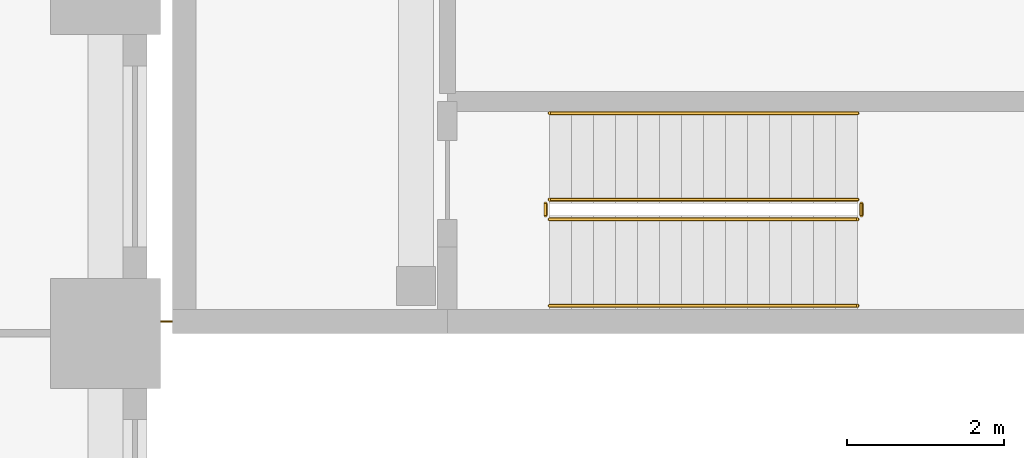
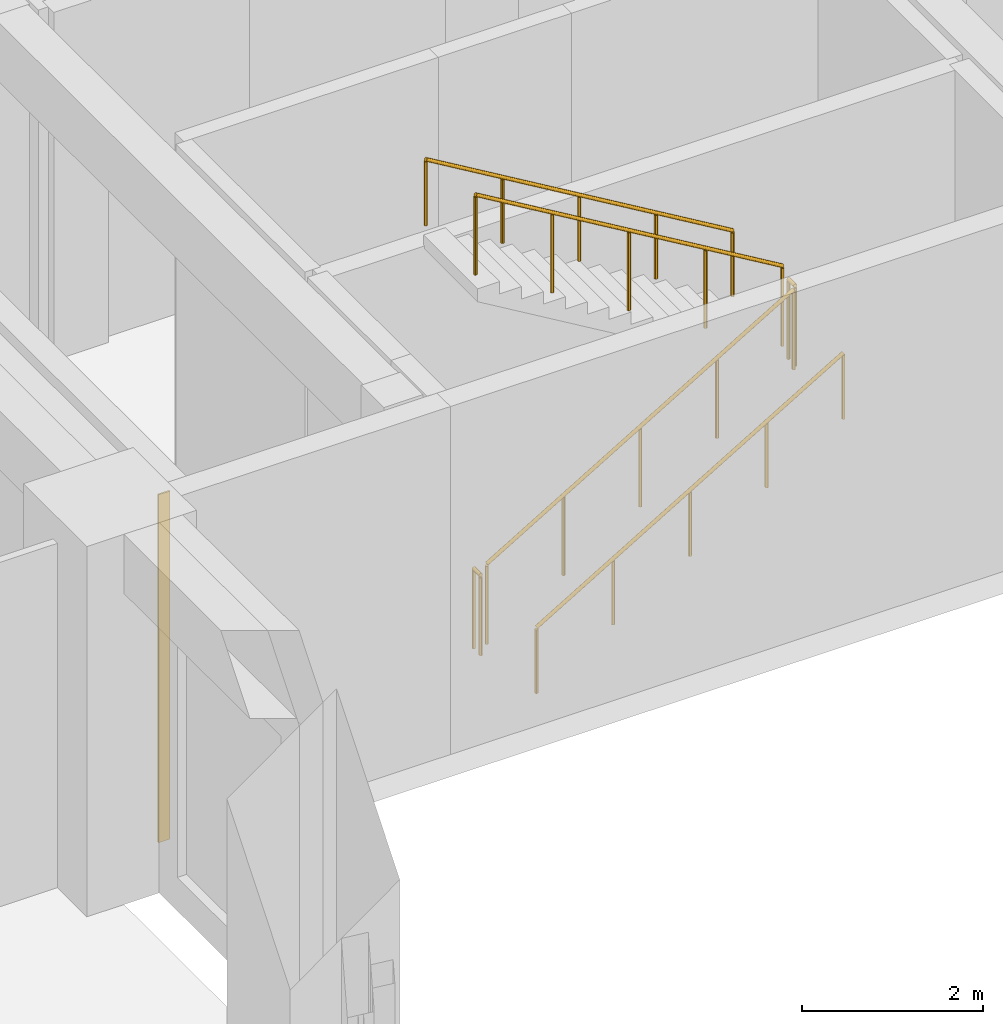
# One storey, part 14 of 19: 6 railings, 1 covering.
"""IFC4 building model written with IfcOpenShell, lengths in metres."""

from ifc_helpers import new_model, si_unit, direction, frame, origin, origin_2d, place, context, subcontext, project, spatial, rectangle, circle, extrude, material, layer, layer_set, type_object, element, save


model = new_model("IFC4")

# Units and contexts
model_context = context("Model", 3, precision=1e-05, world=origin(), true_north=direction((0.0, 1.0)))
body_context = subcontext(model_context, "Body", "Model", "MODEL_VIEW")
ifc_project = project(units=[si_unit("LENGTHUNIT", "METRE"), si_unit("AREAUNIT", "SQUARE_METRE"), si_unit("VOLUMEUNIT", "CUBIC_METRE"), si_unit("PLANEANGLEUNIT", "RADIAN"), si_unit("MASSUNIT", "GRAM", prefix="KILO")], contexts=[model_context])

# Site, building, storey
site_placement = place(None, origin())
site = spatial("IfcSite", under=ifc_project, at=site_placement, CompositionType="ELEMENT")
building_placement = place(site_placement, origin())
building = spatial("IfcBuilding", under=site, at=building_placement, Name="Girih Gate Residences", CompositionType="ELEMENT")
storey_placement = place(building_placement, frame((0.0, 0.0, 21.0)))
storey = spatial("IfcBuildingStorey", under=building, at=storey_placement, Name="L04", CompositionType="ELEMENT", Elevation=21.0)

# Railings
ifc_material_1 = material(Name="Stainless steel railing", Category="steel")
railing_type_1 = type_object("IfcRailingType", Name="HC Guard 1100", PredefinedType="GUARDRAIL", material=ifc_material_1)
railing_1_placement = place(storey_placement, frame((55.14990234375, 10.449951171875, 0.166748046875)))
element("IfcRailing", 1, at=railing_1_placement, inside=storey, type_object=railing_type_1, Name="L04 HC-STA stair guard 1", PredefinedType="GUARDRAIL", context=body_context, shape_type="SweptSolid", body=[
    extrude(circle(Radius=0.02392578125, at=origin_2d()), frame((0.0, 0.0, 1.076171875), z_axis=(0.859310244771, 0.0, 0.511454693235), x_axis=(0.0, 1.0, 0.0)), (0.0, 0.0, 1.0), 4.56201171875),
    extrude(circle(Radius=0.02099609375, at=origin_2d()), origin(), (0.0, 0.0, 1.0), 1.052001953125),
    extrude(circle(Radius=0.02099609375, at=origin_2d()), frame((0.97998046875, 0.0, 0.583251953125)), (0.0, 0.0, 1.0), 1.052001953125),
    extrude(circle(Radius=0.02099609375, at=origin_2d()), frame((1.9599609375, 0.0, 1.16650390625)), (0.0, 0.0, 1.0), 1.052001953125),
    extrude(circle(Radius=0.02099609375, at=origin_2d()), frame((2.940185546875, 0.0, 1.75)), (0.0, 0.0, 1.0), 1.052001953125),
    extrude(circle(Radius=0.02099609375, at=origin_2d()), frame((3.920166015625, 0.0, 2.333251953125)), (0.0, 0.0, 1.0), 1.052001953125),
])
railing_2_placement = place(storey_placement, frame((59.1201171875, 10.5, 2.5)))
element("IfcRailing", 2, at=railing_2_placement, inside=storey, type_object=railing_type_1, Name="L04 HC-STA stair guard 2", PredefinedType="GUARDRAIL", context=body_context, shape_type="SweptSolid", body=[
    extrude(circle(Radius=0.02392578125, at=origin_2d()), frame((0.0, 0.0, 1.076171875), z_axis=(0.0, 1.0, 0.0), x_axis=(-1.0, 0.0, 0.0)), (0.0, 0.0, 1.0), 0.14990234375),
    extrude(circle(Radius=0.02099609375, at=origin_2d()), origin(), (0.0, 0.0, 1.0), 1.052001953125),
    extrude(circle(Radius=0.02099609375, at=origin_2d()), frame((0.0, 0.14990234375, 0.0)), (0.0, 0.0, 1.0), 1.052001953125),
])
railing_3_placement = place(storey_placement, frame((59.070068359375, 10.699951171875, 2.666748046875)))
element("IfcRailing", 3, at=railing_3_placement, inside=storey, type_object=railing_type_1, Name="L04 HC-STA stair guard 3", PredefinedType="GUARDRAIL", context=body_context, shape_type="SweptSolid", body=[
    extrude(circle(Radius=0.02392578125, at=origin_2d()), frame((0.0, 0.0, 1.076171875), z_axis=(-0.859310244771, 0.0, 0.511454693235), x_axis=(0.0, -1.0, 0.0)), (0.0, 0.0, 1.0), 4.56201171875),
    extrude(circle(Radius=0.02099609375, at=origin_2d()), origin(), (0.0, 0.0, 1.0), 1.052001953125),
    extrude(circle(Radius=0.02099609375, at=origin_2d()), frame((-0.97998046875, 0.0, 0.583251953125)), (0.0, 0.0, 1.0), 1.052001953125),
    extrude(circle(Radius=0.02099609375, at=origin_2d()), frame((-1.9599609375, 0.0, 1.16650390625)), (0.0, 0.0, 1.0), 1.052001953125),
    extrude(circle(Radius=0.02099609375, at=origin_2d()), frame((-2.940185546875, 0.0, 1.75)), (0.0, 0.0, 1.0), 1.052001953125),
    extrude(circle(Radius=0.02099609375, at=origin_2d()), frame((-3.920166015625, 0.0, 2.333251953125)), (0.0, 0.0, 1.0), 1.052001953125),
])
railing_4_placement = place(storey_placement, frame((55.10009765625, 10.5, 0.0)))
element("IfcRailing", 4, at=railing_4_placement, inside=storey, type_object=railing_type_1, Name="L04 HC-STA stair guard 4", PredefinedType="GUARDRAIL", context=body_context, shape_type="SweptSolid", body=[
    extrude(circle(Radius=0.02392578125, at=origin_2d()), frame((0.0, 0.0, 1.076171875), z_axis=(0.0, 1.0, 0.0), x_axis=(-1.0, 0.0, 0.0)), (0.0, 0.0, 1.0), 0.14990234375),
    extrude(circle(Radius=0.02099609375, at=origin_2d()), origin(), (0.0, 0.0, 1.0), 1.052001953125),
    extrude(circle(Radius=0.02099609375, at=origin_2d()), frame((0.0, 0.14990234375, 0.0)), (0.0, 0.0, 1.0), 1.052001953125),
])
railing_type_2 = type_object("IfcRailingType", Name="HC Handrail 900", PredefinedType="HANDRAIL", material=ifc_material_1)
railing_5_placement = place(storey_placement, frame((55.14990234375, 9.35009765625, 0.166748046875)))
element("IfcRailing", 5, at=railing_5_placement, inside=storey, type_object=railing_type_2, Name="L04 HC-STA stair handrail 1", PredefinedType="HANDRAIL", context=body_context, shape_type="SweptSolid", body=[
    extrude(circle(Radius=0.02392578125, at=origin_2d()), frame((0.0, 0.0, 0.8857421875), z_axis=(0.859310244771, 0.0, 0.511454693235), x_axis=(0.0, 1.0, 0.0)), (0.0, 0.0, 1.0), 4.56201171875),
    extrude(circle(Radius=0.02099609375, at=origin_2d()), origin(), (0.0, 0.0, 1.0), 0.86181640625),
    extrude(circle(Radius=0.02099609375, at=origin_2d()), frame((0.97998046875, 0.0, 0.583251953125)), (0.0, 0.0, 1.0), 0.86181640625),
    extrude(circle(Radius=0.02099609375, at=origin_2d()), frame((1.9599609375, 0.0, 1.16650390625)), (0.0, 0.0, 1.0), 0.86181640625),
    extrude(circle(Radius=0.02099609375, at=origin_2d()), frame((2.940185546875, 0.0, 1.75)), (0.0, 0.0, 1.0), 0.86181640625),
    extrude(circle(Radius=0.02099609375, at=origin_2d()), frame((3.920166015625, 0.0, 2.333251953125)), (0.0, 0.0, 1.0), 0.86181640625),
])
railing_6_placement = place(storey_placement, frame((59.070068359375, 11.800048828125, 2.666748046875)))
element("IfcRailing", 6, at=railing_6_placement, inside=storey, type_object=railing_type_2, Name="L04 HC-STA stair handrail 2", PredefinedType="HANDRAIL", context=body_context, shape_type="SweptSolid", body=[
    extrude(circle(Radius=0.02392578125, at=origin_2d()), frame((0.0, 0.0, 0.8857421875), z_axis=(-0.859310244771, 0.0, 0.511454693235), x_axis=(0.0, -1.0, 0.0)), (0.0, 0.0, 1.0), 4.56201171875),
    extrude(circle(Radius=0.02099609375, at=origin_2d()), origin(), (0.0, 0.0, 1.0), 0.86181640625),
    extrude(circle(Radius=0.02099609375, at=origin_2d()), frame((-0.97998046875, 0.0, 0.583251953125)), (0.0, 0.0, 1.0), 0.86181640625),
    extrude(circle(Radius=0.02099609375, at=origin_2d()), frame((-1.9599609375, 0.0, 1.16650390625)), (0.0, 0.0, 1.0), 0.86181640625),
    extrude(circle(Radius=0.02099609375, at=origin_2d()), frame((-2.940185546875, 0.0, 1.75)), (0.0, 0.0, 1.0), 0.86181640625),
    extrude(circle(Radius=0.02099609375, at=origin_2d()), frame((-3.920166015625, 0.0, 2.333251953125)), (0.0, 0.0, 1.0), 0.86181640625),
])

# Covering
ifc_material_2 = material(Name="Stainless steel cover plate", Category="steel")
ifc_layer = layer(ifc_material_2, 0.02001953125)
ifc_layer_set = layer_set([ifc_layer], Name="HC Movement joint cover plate")
covering_type = type_object("IfcCoveringType", Name="HC Movement joint cover plate", PredefinedType="CLADDING", material=ifc_layer_set)
covering_placement = place(storey_placement, frame((50.27490234375, 9.14990234375, 0.0), z_axis=(0.0, 0.0, 1.0), x_axis=(1.0, 0.0, 0.0)))
element("IfcCovering", 7, at=covering_placement, inside=storey, type_object=covering_type, Name="L04 joint between tower and health centre cover plate 1", PredefinedType="CLADDING", context=body_context, shape_type="SweptSolid", body=[
    extrude(rectangle(XDim=0.14990234375, YDim=0.02001953125, at=origin_2d()), origin(), (0.0, 0.0, 1.0), 4.699951171875),
])

save(model, "model.ifc")
